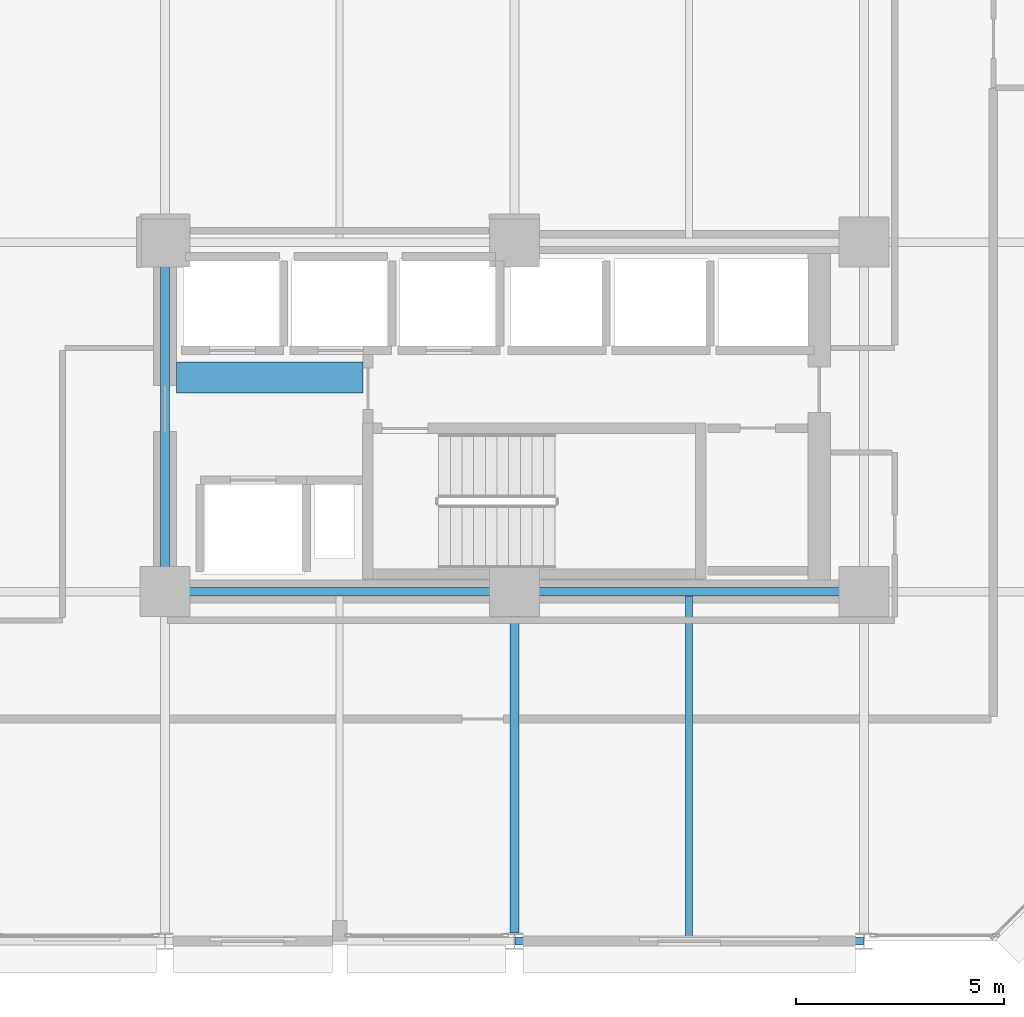
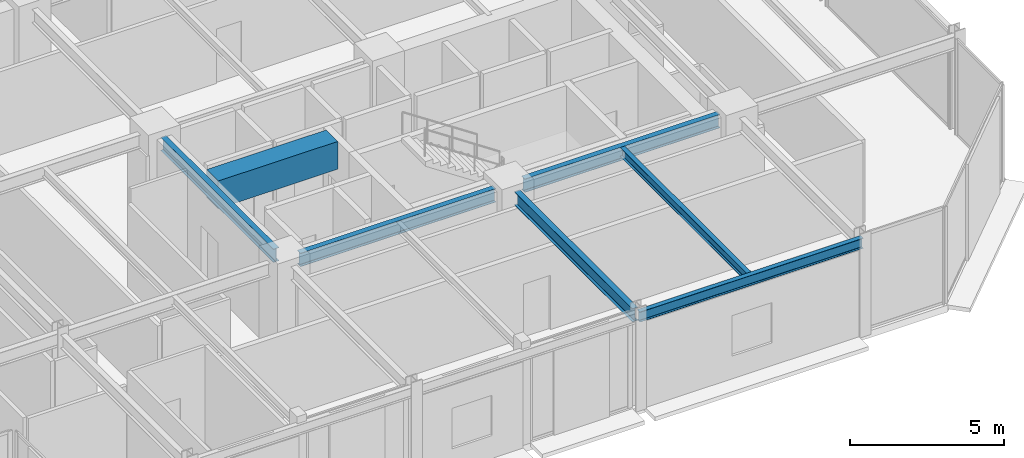
# One storey, part 7 of 30: 7 beams.
"""IFC4 building model written with IfcOpenShell, lengths in metres."""

from ifc_helpers import new_model, si_unit, direction, frame, origin, origin_2d, place, context, subcontext, project, spatial, rectangle, i_section, extrude, material, material_profile, profile_set, type_object, element, save


model = new_model("IFC4")

# Units and contexts
model_context = context("Model", 3, precision=1e-05, world=origin(), true_north=direction((0.0, 1.0)))
body_context = subcontext(model_context, "Body", "Model", "MODEL_VIEW")
ifc_project = project(units=[si_unit("LENGTHUNIT", "METRE"), si_unit("AREAUNIT", "SQUARE_METRE"), si_unit("VOLUMEUNIT", "CUBIC_METRE"), si_unit("PLANEANGLEUNIT", "RADIAN"), si_unit("MASSUNIT", "GRAM", prefix="KILO")], contexts=[model_context])

# Site, building, storey
site_placement = place(None, origin())
site = spatial("IfcSite", under=ifc_project, at=site_placement, CompositionType="ELEMENT")
building_placement = place(site_placement, origin())
building = spatial("IfcBuilding", under=site, at=building_placement, Name="Nerrivon Quay Data Exchange", CompositionType="ELEMENT")
storey_placement = place(building_placement, frame((0.0, 0.0, 154.10009765625)))
storey = spatial("IfcBuildingStorey", under=building, at=storey_placement, Name="L36", CompositionType="ELEMENT", Elevation=154.10009765625)

# Beams
ifc_material_1 = material(Name="Concrete S65 (65 MPa)", Category="concrete")
ifc_material_profile_1 = material_profile(ifc_material_1, rectangle(XDim=0.75, YDim=1.10009765625, at=origin_2d()), Name="RC-CB-750x1100")
ifc_profile_set_1 = profile_set([ifc_material_profile_1], Name="Concrete S65 (65 MPa)")
beam_type_1 = type_object("IfcBeamType", Name="BM-CB1-750x1100", PredefinedType="LINTEL", material=ifc_profile_set_1)
beam_1_placement = place(storey_placement, frame((17.074951171875, 13.550048828125, 3.27490234375), z_axis=(1.0, 0.0, 0.0), x_axis=(0.0, 1.0, 0.0)))
element("IfcBeam", 1, at=beam_1_placement, inside=storey, type_object=beam_type_1, Name="L36 East Core Coupling Beam", PredefinedType="LINTEL", context=body_context, shape_type="SweptSolid", body=[
    extrude(rectangle(XDim=0.75, YDim=1.10009765625, at=origin_2d()), origin(), (0.0, 0.0, 1.0), 4.47998046875),
])
ifc_material_2 = material(Name="Steel Grade 350", Category="steel")
ifc_material_profile_2 = material_profile(ifc_material_2, i_section(OverallWidth=0.208984375, OverallDepth=0.532958984375, WebThickness=0.01025390625, FlangeThickness=0.015625, FilletRadius=0.013916015625, at=origin_2d()), Name="530UB92.4")
ifc_profile_set_2 = profile_set([ifc_material_profile_2], Name="Steel Grade 350")
beam_type_2 = type_object("IfcBeamType", Name="BM-G3-530UB92", PredefinedType="BEAM", material=ifc_profile_set_2)
beam_2_placement = place(storey_placement, frame((17.340087890625, 8.39990234375, 3.558349609375), z_axis=(1.0, 0.0, 0.0), x_axis=(0.0, 1.0, 0.0)))
element("IfcBeam", 2, at=beam_2_placement, inside=storey, type_object=beam_type_2, Name="L36 EW Girder Y=8.4 (16.8..25.2)", PredefinedType="BEAM", context=body_context, shape_type="SweptSolid", body=[
    extrude(i_section(OverallWidth=0.208984375, OverallDepth=0.532958984375, WebThickness=0.01025390625, FlangeThickness=0.015625, FilletRadius=0.013916015625, at=origin_2d()), origin(), (0.0, 0.0, 1.0), 7.31982421875),
])
beam_3_placement = place(storey_placement, frame((25.739990234375, 8.39990234375, 3.558349609375), z_axis=(1.0, 0.0, 0.0), x_axis=(0.0, 1.0, 0.0)))
element("IfcBeam", 3, at=beam_3_placement, inside=storey, type_object=beam_type_2, Name="L36 EW Girder Y=8.4 (25.2..33.6)", PredefinedType="BEAM", context=body_context, shape_type="SweptSolid", body=[
    extrude(i_section(OverallWidth=0.208984375, OverallDepth=0.532958984375, WebThickness=0.01025390625, FlangeThickness=0.015625, FilletRadius=0.013916015625, at=origin_2d()), origin(), (0.0, 0.0, 1.0), 7.320068359375),
])
ifc_material_profile_3 = material_profile(ifc_material_2, i_section(OverallWidth=0.208984375, OverallDepth=0.528076171875, WebThickness=0.009521484375, FlangeThickness=0.01318359375, FilletRadius=0.013916015625, at=origin_2d()), Name="530UB82.0")
ifc_profile_set_3 = profile_set([ifc_material_profile_3], Name="Steel Grade 350")
beam_type_3 = type_object("IfcBeamType", Name="BM-G4-530UB82", PredefinedType="BEAM", material=ifc_profile_set_3)
beam_4_placement = place(storey_placement, frame((16.800048828125, 8.93994140625, 3.560791015625), z_axis=(0.0, 1.0, 0.0), x_axis=(-1.0, 0.0, 0.0)))
element("IfcBeam", 4, at=beam_4_placement, inside=storey, type_object=beam_type_3, Name="L36 NS Girder X=16.8 (8.4..16.8)", PredefinedType="BEAM", context=body_context, shape_type="SweptSolid", body=[
    extrude(i_section(OverallWidth=0.208984375, OverallDepth=0.528076171875, WebThickness=0.009521484375, FlangeThickness=0.01318359375, FilletRadius=0.013916015625, at=origin_2d()), origin(), (0.0, 0.0, 1.0), 7.320068359375),
])
beam_5_placement = place(storey_placement, frame((25.199951171875, 0.199951171875, 3.560791015625), z_axis=(0.0, 1.0, 0.0), x_axis=(-1.0, 0.0, 0.0)))
element("IfcBeam", 5, at=beam_5_placement, inside=storey, type_object=beam_type_3, Name="L36 NS Girder X=25.2 (0.0..8.4)", PredefinedType="BEAM", context=body_context, shape_type="SweptSolid", body=[
    extrude(i_section(OverallWidth=0.208984375, OverallDepth=0.528076171875, WebThickness=0.009521484375, FlangeThickness=0.01318359375, FilletRadius=0.013916015625, at=origin_2d()), origin(), (0.0, 0.0, 1.0), 7.66015625),
])
ifc_material_profile_4 = material_profile(ifc_material_2, i_section(OverallWidth=0.1708984375, OverallDepth=0.35595703125, WebThickness=0.00732421875, FlangeThickness=0.011474609375, FilletRadius=0.011474609375, at=origin_2d()), Name="360UB50.7")
ifc_profile_set_4 = profile_set([ifc_material_profile_4], Name="Steel Grade 350")
beam_type_4 = type_object("IfcBeamType", Name="BM-J4-360UB51", PredefinedType="JOIST", material=ifc_profile_set_4)
beam_6_placement = place(storey_placement, frame((29.39990234375, 0.089111328125, 3.64697265625), z_axis=(0.0, 1.0, 0.0), x_axis=(-1.0, 0.0, 0.0)))
element("IfcBeam", 6, at=beam_6_placement, inside=storey, type_object=beam_type_4, Name="L36 Secondary Joist X=29.4 (0.0..8.4)", PredefinedType="JOIST", context=body_context, shape_type="SweptSolid", body=[
    extrude(i_section(OverallWidth=0.1708984375, OverallDepth=0.35595703125, WebThickness=0.00732421875, FlangeThickness=0.011474609375, FilletRadius=0.011474609375, at=origin_2d()), origin(), (0.0, 0.0, 1.0), 8.206298828125),
])
ifc_material_profile_5 = material_profile(ifc_material_2, i_section(OverallWidth=0.177978515625, OverallDepth=0.403076171875, WebThickness=0.007568359375, FlangeThickness=0.010986328125, FilletRadius=0.011474609375, at=origin_2d()), Name="410UB53.7")
ifc_profile_set_5 = profile_set([ifc_material_profile_5], Name="Steel Grade 350")
beam_type_5 = type_object("IfcBeamType", Name="BM-SP2-410UB54", PredefinedType="SPANDREL", material=ifc_profile_set_5)
beam_7_placement = place(storey_placement, frame((25.21240234375, 0.0, 3.623291015625), z_axis=(1.0, 0.0, 0.0), x_axis=(0.0, 1.0, 0.0)))
element("IfcBeam", 7, at=beam_7_placement, inside=storey, type_object=beam_type_5, Name="L36 EW Girder Y=0.0 (25.2..33.6)", PredefinedType="SPANDREL", context=body_context, shape_type="SweptSolid", body=[
    extrude(i_section(OverallWidth=0.177978515625, OverallDepth=0.403076171875, WebThickness=0.007568359375, FlangeThickness=0.010986328125, FilletRadius=0.011474609375, at=origin_2d()), origin(), (0.0, 0.0, 1.0), 8.375),
])

save(model, "model.ifc")
